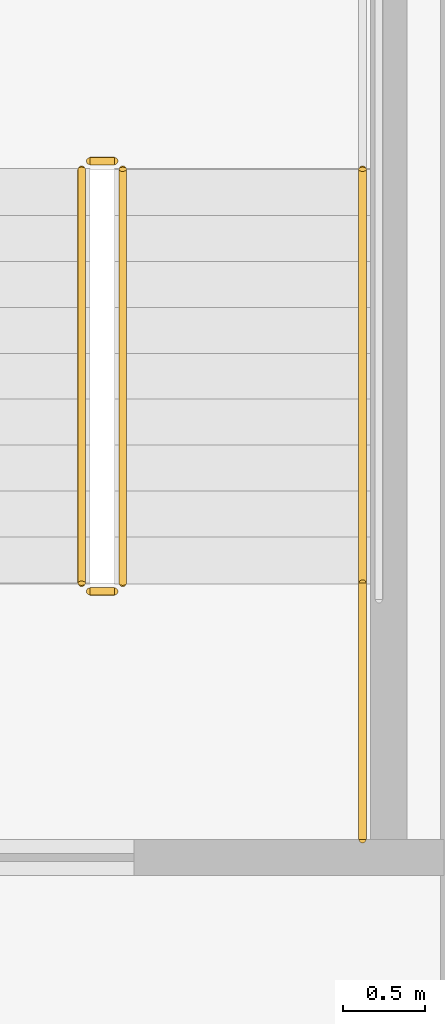
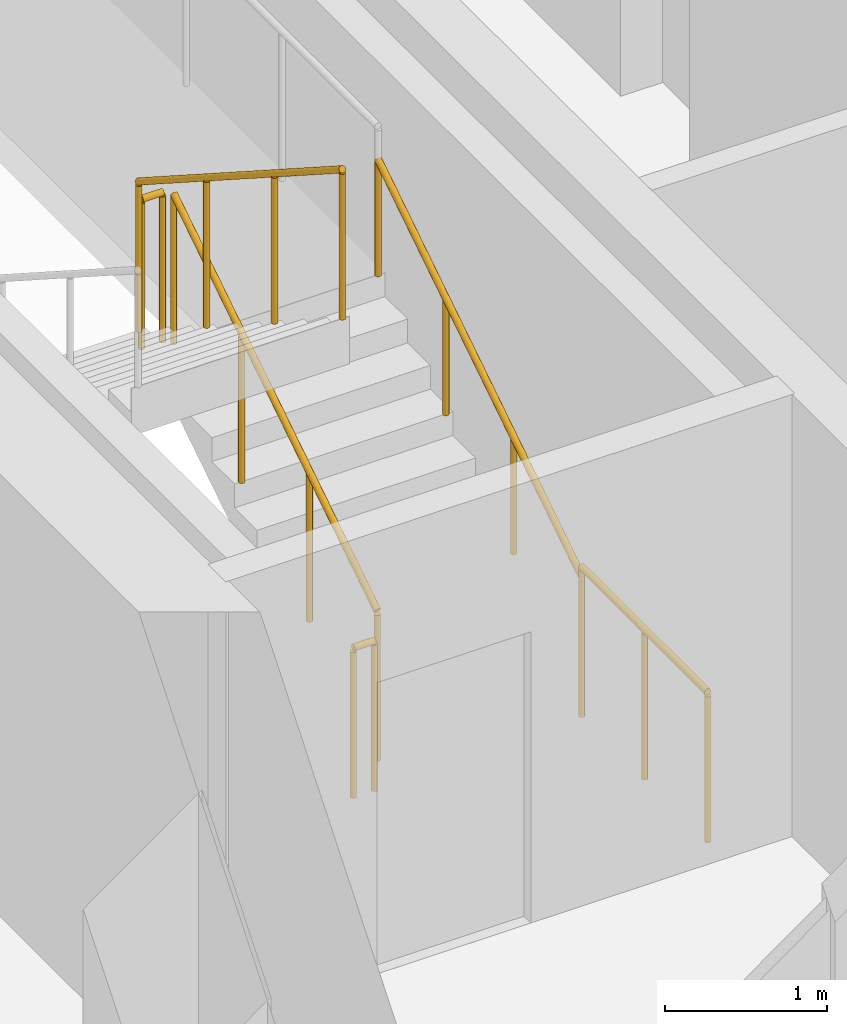
# One storey, part 12 of 14: 6 railings.
"""IFC4 building model written with IfcOpenShell, lengths in metres."""

from ifc_helpers import new_model, si_unit, direction, frame, origin, origin_2d, place, context, subcontext, project, spatial, circle, extrude, material, type_object, element, save


model = new_model("IFC4")

# Units and contexts
model_context = context("Model", 3, precision=1e-05, world=origin(), true_north=direction((0.0, 1.0)))
body_context = subcontext(model_context, "Body", "Model", "MODEL_VIEW")
ifc_project = project(units=[si_unit("LENGTHUNIT", "METRE"), si_unit("AREAUNIT", "SQUARE_METRE"), si_unit("VOLUMEUNIT", "CUBIC_METRE"), si_unit("PLANEANGLEUNIT", "RADIAN"), si_unit("MASSUNIT", "GRAM", prefix="KILO")], contexts=[model_context])

# Site, building, storey
site_placement = place(None, origin())
site = spatial("IfcSite", under=ifc_project, at=site_placement, CompositionType="ELEMENT")
building_placement = place(site_placement, origin())
building = spatial("IfcBuilding", under=site, at=building_placement, Name="Khairoan Windgate Tower", CompositionType="ELEMENT")
storey_placement = place(building_placement, frame((0.0, 0.0, 236.800048828125)))
storey = spatial("IfcBuildingStorey", under=building, at=storey_placement, Name="L55", CompositionType="ELEMENT", Elevation=236.800048828125)

# Railings
ifc_material_1 = material(Name="Anodised Bronze Aluminium 6063-T6", Category="aluminium")
railing_type_1 = type_object("IfcRailingType", Name="Stair Wall Handrail SHR-900", PredefinedType="HANDRAIL", material=ifc_material_1)
railing_1_placement = place(storey_placement, frame((-16.199951171875, 2.9599609375, 0.179931640625)))
element("IfcRailing", 1, at=railing_1_placement, inside=storey, type_object=railing_type_1, Name="L55 ST2 stair handrail 1", PredefinedType="HANDRAIL", context=body_context, shape_type="SweptSolid", body=[
    extrude(circle(Radius=0.02392578125, at=origin_2d()), frame((0.0, 0.0, 0.8759765625), z_axis=(0.0, 0.841162588446, 0.540782303519), x_axis=(-1.0, 0.0, 0.0)), (0.0, 0.0, 1.0), 2.995849609375),
    extrude(circle(Radius=0.02099609375, at=origin_2d()), origin(), (0.0, 0.0, 1.0), 0.851806640625),
    extrude(circle(Radius=0.02099609375, at=origin_2d()), frame((0.0, 0.840087890625, 0.5400390625)), (0.0, 0.0, 1.0), 0.851806640625),
    extrude(circle(Radius=0.02099609375, at=origin_2d()), frame((0.0, 1.679931640625, 1.080078125)), (0.0, 0.0, 1.0), 0.851806640625),
    extrude(circle(Radius=0.02099609375, at=origin_2d()), frame((0.0, 2.52001953125, 1.6201171875)), (0.0, 0.0, 1.0), 0.851806640625),
])
ifc_material_2 = material(Name="Steel S355", Category="steel")
railing_type_2 = type_object("IfcRailingType", Name="Stairwell Safety Guardrail SGR-1150", PredefinedType="GUARDRAIL", material=ifc_material_2)
railing_2_placement = place(storey_placement, frame((-17.659912109375, 2.9599609375, 0.179931640625)))
element("IfcRailing", 2, at=railing_2_placement, inside=storey, type_object=railing_type_2, Name="L55 ST2 stair guard 1", PredefinedType="GUARDRAIL", context=body_context, shape_type="SweptSolid", body=[
    extrude(circle(Radius=0.02392578125, at=origin_2d()), frame((0.0, 0.0, 1.1259765625), z_axis=(0.0, 0.841162588446, 0.540782303519), x_axis=(-1.0, 0.0, 0.0)), (0.0, 0.0, 1.0), 2.995849609375),
    extrude(circle(Radius=0.02099609375, at=origin_2d()), origin(), (0.0, 0.0, 1.0), 1.101806640625),
    extrude(circle(Radius=0.02099609375, at=origin_2d()), frame((0.0, 0.840087890625, 0.5400390625)), (0.0, 0.0, 1.0), 1.101806640625),
    extrude(circle(Radius=0.02099609375, at=origin_2d()), frame((0.0, 1.679931640625, 1.080078125)), (0.0, 0.0, 1.0), 1.101806640625),
    extrude(circle(Radius=0.02099609375, at=origin_2d()), frame((0.0, 2.52001953125, 1.6201171875)), (0.0, 0.0, 1.0), 1.101806640625),
])
railing_3_placement = place(storey_placement, frame((-17.7099609375, 5.530029296875, 1.800048828125)))
element("IfcRailing", 3, at=railing_3_placement, inside=storey, type_object=railing_type_2, Name="L55 ST2 stair guard 2", PredefinedType="GUARDRAIL", context=body_context, shape_type="SweptSolid", body=[
    extrude(circle(Radius=0.02392578125, at=origin_2d()), frame((0.0, 0.0, 1.1259765625), z_axis=(-1.0, 0.0, 0.0), x_axis=(0.0, -1.0, 0.0)), (0.0, 0.0, 1.0), 0.150146484375),
    extrude(circle(Radius=0.02099609375, at=origin_2d()), origin(), (0.0, 0.0, 1.0), 1.101806640625),
    extrude(circle(Radius=0.02099609375, at=origin_2d()), frame((-0.150146484375, 0.0, 0.0)), (0.0, 0.0, 1.0), 1.101806640625),
])
railing_4_placement = place(storey_placement, frame((-17.909912109375, 5.47998046875, 1.97998046875)))
element("IfcRailing", 4, at=railing_4_placement, inside=storey, type_object=railing_type_2, Name="L55 ST2 stair guard 6", PredefinedType="GUARDRAIL", context=body_context, shape_type="SweptSolid", body=[
    extrude(circle(Radius=0.02392578125, at=origin_2d()), frame((0.0, 0.0, 1.1259765625), z_axis=(0.0, -0.841199657755, 0.540724639528), x_axis=(1.0, 0.0, 0.0)), (0.0, 0.0, 1.0), 2.995849609375),
    extrude(circle(Radius=0.02099609375, at=origin_2d()), origin(), (0.0, 0.0, 1.0), 1.101806640625),
    extrude(circle(Radius=0.02099609375, at=origin_2d()), frame((0.0, -0.840087890625, 0.5400390625)), (0.0, 0.0, 1.0), 1.101806640625),
    extrude(circle(Radius=0.02099609375, at=origin_2d()), frame((0.0, -1.679931640625, 1.079833984375)), (0.0, 0.0, 1.0), 1.101806640625),
    extrude(circle(Radius=0.02099609375, at=origin_2d()), frame((0.0, -2.52001953125, 1.619873046875)), (0.0, 0.0, 1.0), 1.101806640625),
])
railing_5_placement = place(storey_placement, frame((-17.7099609375, 2.909912109375, 0.0)))
element("IfcRailing", 5, at=railing_5_placement, inside=storey, type_object=railing_type_2, Name="L55 ST2 stair guard 7", PredefinedType="GUARDRAIL", context=body_context, shape_type="SweptSolid", body=[
    extrude(circle(Radius=0.02392578125, at=origin_2d()), frame((0.0, 0.0, 1.1259765625), z_axis=(-1.0, 0.0, 0.0), x_axis=(0.0, -1.0, 0.0)), (0.0, 0.0, 1.0), 0.150146484375),
    extrude(circle(Radius=0.02099609375, at=origin_2d()), origin(), (0.0, 0.0, 1.0), 1.101806640625),
    extrude(circle(Radius=0.02099609375, at=origin_2d()), frame((-0.150146484375, 0.0, 0.0)), (0.0, 0.0, 1.0), 1.101806640625),
])
railing_6_placement = place(storey_placement, frame((-16.199951171875, 1.39990234375, 0.0)))
element("IfcRailing", 6, at=railing_6_placement, inside=storey, type_object=railing_type_2, Name="L55 ST2 stair guard 8", PredefinedType="GUARDRAIL", context=body_context, shape_type="SweptSolid", body=[
    extrude(circle(Radius=0.02392578125, at=origin_2d()), frame((0.0, 0.0, 1.1259765625), z_axis=(0.0, 1.0, 0.0), x_axis=(-1.0, 0.0, 0.0)), (0.0, 0.0, 1.0), 1.56005859375),
    extrude(circle(Radius=0.02099609375, at=origin_2d()), origin(), (0.0, 0.0, 1.0), 1.101806640625),
    extrude(circle(Radius=0.02099609375, at=origin_2d()), frame((0.0, 0.780029296875, 0.0)), (0.0, 0.0, 1.0), 1.101806640625),
    extrude(circle(Radius=0.02099609375, at=origin_2d()), frame((0.0, 1.56005859375, 0.0)), (0.0, 0.0, 1.0), 1.101806640625),
])

save(model, "model.ifc")
